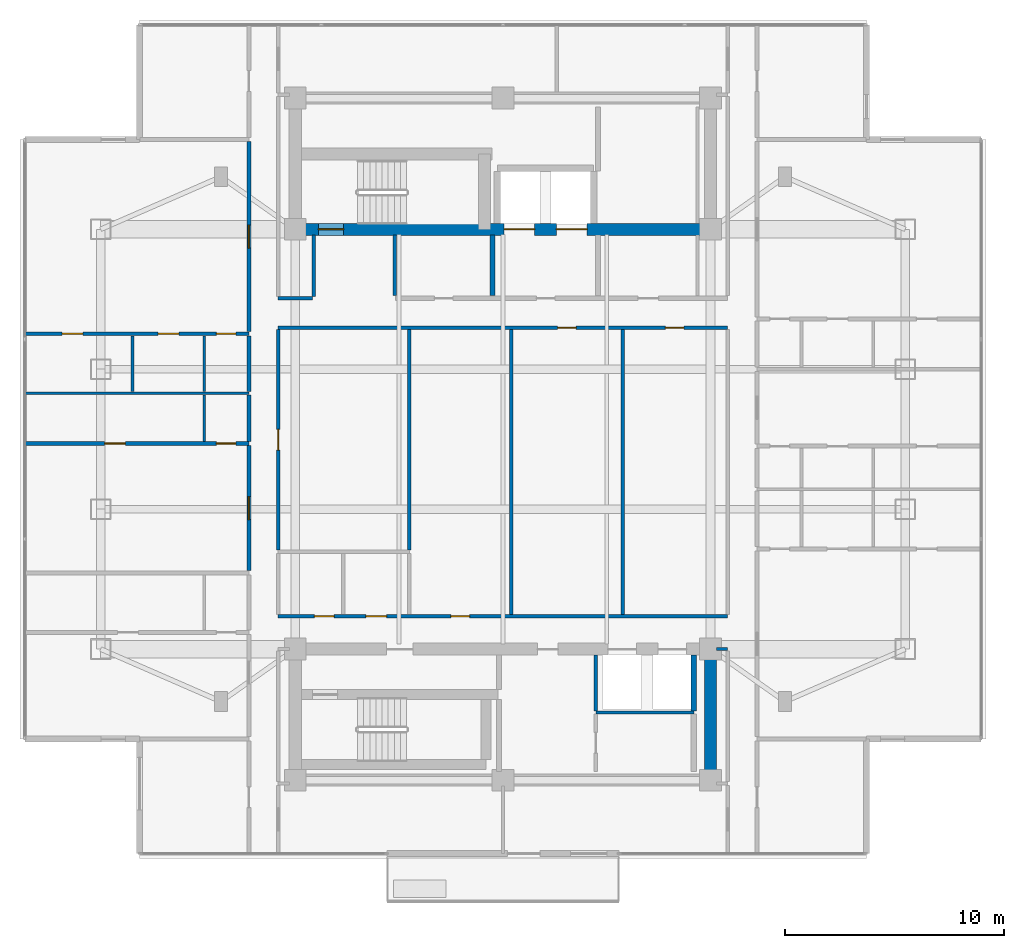
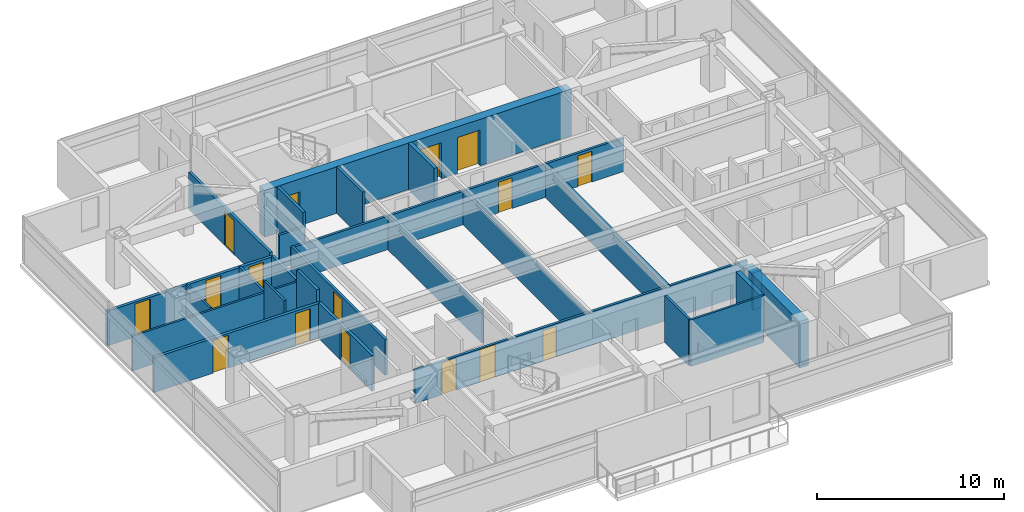
# One storey, part 13 of 25: 26 walls, 16 doors, 16 openings.
"""IFC4 building model written with IfcOpenShell, lengths in metres."""

from ifc_helpers import new_model, si_unit, direction, frame, frame_2d, origin, place, context, subcontext, project, spatial, rectangle, extrude, material, layer, layer_set, type_object, element, fill, save


model = new_model("IFC4")

# Units and contexts
model_context = context("Model", 3, precision=1e-05, world=origin(), true_north=direction((0.0, 1.0)))
body_context = subcontext(model_context, "Body", "Model", "MODEL_VIEW")
ifc_project = project(units=[si_unit("LENGTHUNIT", "METRE"), si_unit("AREAUNIT", "SQUARE_METRE"), si_unit("VOLUMEUNIT", "CUBIC_METRE"), si_unit("PLANEANGLEUNIT", "RADIAN"), si_unit("MASSUNIT", "GRAM", prefix="KILO")], contexts=[model_context])

# Site, building, storey
site_placement = place(None, origin())
site = spatial("IfcSite", under=ifc_project, at=site_placement, CompositionType="ELEMENT")
building_placement = place(site_placement, origin())
building = spatial("IfcBuilding", under=site, at=building_placement, Name="Mirazonda Arch Towers", CompositionType="ELEMENT")
storey_placement = place(building_placement, frame((0.0, 0.0, 180.39990234375)))
storey = spatial("IfcBuildingStorey", under=building, at=storey_placement, Name="L51", CompositionType="ELEMENT", Elevation=180.39990234375)

# Wall, openings, doors
ifc_material_1 = material(Name="Concrete C50/60", Category="concrete")
ifc_layer_1 = layer(ifc_material_1, 0.550048828125, Name="WALL-CORE-550")
ifc_layer_set_1 = layer_set([ifc_layer_1], Name="Concrete C50/60")
wall_type_1 = type_object("IfcWallType", Name="WALL-CORE-550", PredefinedType="SHEAR", material=ifc_layer_set_1)
wall_1_placement = place(storey_placement, frame((11.0, 37.60009765625, 0.0), z_axis=(0.0, 0.0, 1.0), x_axis=(1.0, 0.0, 0.0)))
wall_1 = element("IfcWall", 1, at=wall_1_placement, inside=storey, type_object=wall_type_1, Name="L51 T1N-S Core Shear Wall", PredefinedType="SHEAR", context=body_context, shape_type="SweptSolid", body=[
    extrude(rectangle(XDim=19.0, YDim=0.550048828125, at=frame_2d((9.5, 0.0))), origin(), (0.0, 0.0, 1.0), 3.050048828125),
])
opening_1_placement = place(wall_1_placement, frame((1.06005859375, 0.0, 0.0)))
opening_1 = element("IfcOpeningElement", 2, at=opening_1_placement, cuts=wall_1, Name="Opening DR-135", PredefinedType="OPENING", context=body_context, shape_type="SweptSolid", body=[
    extrude(rectangle(XDim=1.14990234375, YDim=2.199951171875, at=frame_2d((0.574951171875, 1.10009765625))), frame((0.0, 0.284912109375, 0.0), z_axis=(0.0, -1.0, 0.0), x_axis=(1.0, 0.0, 0.0)), (0.0, 0.0, 1.0), 0.570068359375),
])
opening_2_placement = place(wall_1_placement, frame((9.550048828125, 0.0, 0.0)))
opening_2 = element("IfcOpeningElement", 3, at=opening_2_placement, cuts=wall_1, Name="Opening LD-112", PredefinedType="OPENING", context=body_context, shape_type="SweptSolid", body=[
    extrude(rectangle(XDim=1.39990234375, YDim=2.35009765625, at=frame_2d((0.699951171875, 1.175048828125))), frame((0.0, 0.284912109375, 0.0), z_axis=(0.0, -1.0, 0.0), x_axis=(1.0, 0.0, 0.0)), (0.0, 0.0, 1.0), 0.570068359375),
])
opening_3_placement = place(wall_1_placement, frame((11.949951171875, 0.0, 0.0)))
opening_3 = element("IfcOpeningElement", 4, at=opening_3_placement, cuts=wall_1, Name="Opening LD-112", PredefinedType="OPENING", context=body_context, shape_type="SweptSolid", body=[
    extrude(rectangle(XDim=1.39990234375, YDim=2.35009765625, at=frame_2d((0.699951171875, 1.175048828125))), frame((0.0, 0.284912109375, 0.0), z_axis=(0.0, -1.0, 0.0), x_axis=(1.0, 0.0, 0.0)), (0.0, 0.0, 1.0), 0.570068359375),
])
ifc_material_2 = material(Name="Architectural Brushed Steel S355", Category="steel")
door_type_1 = type_object("IfcDoorType", Name="DOOR-LIFT-FFL-1400", OperationType="NOTDEFINED", PredefinedType="DOOR", material=ifc_material_2)
door_1_placement = place(opening_2_placement, origin())
door_1 = element("IfcDoor", 5, at=door_1_placement, inside=storey, type_object=door_type_1, Name="L51 Lift Landing Sliding Door FFL-T1", OperationType="DOUBLE_DOOR_SLIDING", OverallHeight=2.35009765625, OverallWidth=1.39990234375, PredefinedType="DOOR", context=body_context, shape_type="SweptSolid", body=[
    extrude(rectangle(XDim=1.39990234375, YDim=2.35009765625, at=frame_2d((0.699951171875, 1.175048828125))), frame((0.0, 0.02490234375, 0.0), z_axis=(0.0, -1.0, 0.0), x_axis=(1.0, 0.0, 0.0)), (0.0, 0.0, 1.0), 0.050048828125),
])
fill(opening_2, door_1)
door_2_placement = place(opening_3_placement, origin())
door_2 = element("IfcDoor", 6, at=door_2_placement, inside=storey, type_object=door_type_1, Name="L51 Lift Landing Sliding Door SVL-T1", OperationType="DOUBLE_DOOR_SLIDING", OverallHeight=2.35009765625, OverallWidth=1.39990234375, PredefinedType="DOOR", context=body_context, shape_type="SweptSolid", body=[
    extrude(rectangle(XDim=1.39990234375, YDim=2.35009765625, at=frame_2d((0.699951171875, 1.175048828125))), frame((0.0, 0.02490234375, 0.0), z_axis=(0.0, -1.0, 0.0), x_axis=(1.0, 0.0, 0.0)), (0.0, 0.0, 1.0), 0.050048828125),
])
fill(opening_3, door_2)
door_type_2 = type_object("IfcDoorType", Name="DOOR-STAIR-FD90-1150", OperationType="NOTDEFINED", PredefinedType="DOOR", material=ifc_material_2)
door_3_placement = place(opening_1_placement, origin())
door_3 = element("IfcDoor", 7, at=door_3_placement, inside=storey, type_object=door_type_2, Name="L51 Protected Exit Stair North Door", OperationType="SINGLE_SWING_LEFT", OverallHeight=2.199951171875, OverallWidth=1.14990234375, PredefinedType="DOOR", context=body_context, shape_type="SweptSolid", body=[
    extrude(rectangle(XDim=1.14990234375, YDim=2.199951171875, at=frame_2d((0.574951171875, 1.10009765625))), frame((0.0, 0.02490234375, 0.0), z_axis=(0.0, -1.0, 0.0), x_axis=(1.0, 0.0, 0.0)), (0.0, 0.0, 1.0), 0.050048828125),
])
fill(opening_1, door_3)

# Walls
wall_2_placement = place(storey_placement, frame((30.0, 12.39990234375, 0.0), z_axis=(0.0, 0.0, 1.0), x_axis=(0.0, 1.0, 0.0)))
element("IfcWall", 8, at=wall_2_placement, inside=storey, type_object=wall_type_1, Name="L51 T1S-E Core Shear Wall", PredefinedType="SHEAR", context=body_context, shape_type="SweptSolid", body=[
    extrude(rectangle(XDim=6.0, YDim=0.550048828125, at=frame_2d((3.0, 0.0))), origin(), (0.0, 0.0, 1.0), 3.050048828125),
])
ifc_material_3 = material(Name="Concrete C40/50", Category="concrete")
ifc_layer_2 = layer(ifc_material_3, 0.219970703125, Name="WALL-FFL-220")
ifc_layer_set_2 = layer_set([ifc_layer_2], Name="Concrete C40/50")
wall_type_2 = type_object("IfcWallType", Name="WALL-FFL-220", PredefinedType="SOLIDWALL", material=ifc_layer_set_2)
wall_3_placement = place(storey_placement, frame((20.02490234375, 34.570068359375, 0.0), z_axis=(0.0, 0.0, 1.0), x_axis=(0.0, 1.0, 0.0)))
element("IfcWall", 9, at=wall_3_placement, inside=storey, type_object=wall_type_2, Name="L51 Interior Partition 085", PredefinedType="SOLIDWALL", context=body_context, shape_type="SweptSolid", body=[
    extrude(rectangle(XDim=2.760009765625, YDim=0.219970703125, at=frame_2d((1.3798828125, 0.0))), origin(), (0.0, 0.0, 1.0), 3.050048828125),
])
ifc_material_4 = material(Name="Fire-Rated Gypsum Stud Partition")
ifc_layer_3 = layer(ifc_material_4, 0.14990234375, Name="WALL-PART-CORR-150")
ifc_layer_set_3 = layer_set([ifc_layer_3], Name="Fire-Rated Gypsum Stud Partition")
wall_type_3 = type_object("IfcWallType", Name="WALL-PART-CORR-150", PredefinedType="PARTITIONING", material=ifc_layer_set_3)
wall_4_placement = place(storey_placement, frame((30.27001953125, 18.39990234375, 0.0), z_axis=(0.0, 0.0, 1.0), x_axis=(1.0, 0.0, 0.0)))
element("IfcWall", 10, at=wall_4_placement, inside=storey, type_object=wall_type_3, Name="L51 Interior Partition 012", PredefinedType="PARTITIONING", context=body_context, shape_type="SweptSolid", body=[
    extrude(rectangle(XDim=0.510009765625, YDim=0.14990234375, at=frame_2d((0.2548828125, 0.0))), origin(), (0.0, 0.0, 1.0), 2.442138671875),
])

# Wall, openings, doors
wall_5_placement = place(storey_placement, frame((10.219970703125, 19.89990234375, 0.0), z_axis=(0.0, 0.0, 1.0), x_axis=(1.0, 0.0, 0.0)))
wall_5 = element("IfcWall", 11, at=wall_5_placement, inside=storey, type_object=wall_type_3, Name="L51 Interior Partition 015", PredefinedType="PARTITIONING", context=body_context, shape_type="SweptSolid", body=[
    extrude(rectangle(XDim=20.56005859375, YDim=0.14990234375, at=frame_2d((10.280029296875, 0.0))), origin(), (0.0, 0.0, 1.0), 2.18603515625),
])
opening_4_placement = place(wall_5_placement, frame((1.659912109375, 0.0, 0.0)))
opening_4 = element("IfcOpeningElement", 12, at=opening_4_placement, cuts=wall_5, Name="Opening DR-120", PredefinedType="OPENING", context=body_context, shape_type="SweptSolid", body=[
    extrude(rectangle(XDim=0.89990234375, YDim=2.10009765625, at=frame_2d((0.449951171875, 1.050048828125))), frame((0.0, 0.0849609375, 0.0), z_axis=(0.0, -1.0, 0.0), x_axis=(1.0, 0.0, 0.0)), (0.0, 0.0, 1.0), 0.169921875),
])
opening_5_placement = place(wall_5_placement, frame((4.014892578125, 0.0, 0.0)))
opening_5 = element("IfcOpeningElement", 13, at=opening_5_placement, cuts=wall_5, Name="Opening DR-104", PredefinedType="OPENING", context=body_context, shape_type="SweptSolid", body=[
    extrude(rectangle(XDim=0.949951171875, YDim=2.14990234375, at=frame_2d((0.47509765625, 1.074951171875))), frame((0.0, 0.0849609375, 0.0), z_axis=(0.0, -1.0, 0.0), x_axis=(1.0, 0.0, 0.0)), (0.0, 0.0, 1.0), 0.169921875),
])
opening_6_placement = place(wall_5_placement, frame((7.904541015625, 0.0, 0.0)))
opening_6 = element("IfcOpeningElement", 14, at=opening_6_placement, cuts=wall_5, Name="Opening DR-128", PredefinedType="OPENING", context=body_context, shape_type="SweptSolid", body=[
    extrude(rectangle(XDim=0.85009765625, YDim=2.010009765625, at=frame_2d((0.425048828125, 1.0048828125))), frame((0.0, 0.0849609375, 0.0), z_axis=(0.0, -1.0, 0.0), x_axis=(1.0, 0.0, 0.0)), (0.0, 0.0, 1.0), 0.169921875),
])
door_type_3 = type_object("IfcDoorType", Name="DOOR-RISER-FD60-850", OperationType="NOTDEFINED", PredefinedType="DOOR", material=ifc_material_2)
door_4_placement = place(opening_6_placement, origin())
door_4 = element("IfcDoor", 15, at=door_4_placement, inside=storey, type_object=door_type_3, Name="L51 Residents Private Library Door", OperationType="SINGLE_SWING_RIGHT", OverallHeight=2.010009765625, OverallWidth=0.85009765625, PredefinedType="DOOR", context=body_context, shape_type="SweptSolid", body=[
    extrude(rectangle(XDim=0.85009765625, YDim=2.010009765625, at=frame_2d((0.425048828125, 1.0048828125))), frame((0.0, 0.02490234375, 0.0), z_axis=(0.0, -1.0, 0.0), x_axis=(1.0, 0.0, 0.0)), (0.0, 0.0, 1.0), 0.050048828125),
])
fill(opening_6, door_4)
door_type_4 = type_object("IfcDoorType", Name="DOOR-ROOM-950", OperationType="NOTDEFINED", PredefinedType="DOOR", material=ifc_material_2)
door_5_placement = place(opening_5_placement, origin())
door_5 = element("IfcDoor", 16, at=door_5_placement, inside=storey, type_object=door_type_4, Name="L51 L51 West Courtyard Study Door", OperationType="SINGLE_SWING_RIGHT", OverallHeight=2.14990234375, OverallWidth=0.949951171875, PredefinedType="DOOR", context=body_context, shape_type="SweptSolid", body=[
    extrude(rectangle(XDim=0.949951171875, YDim=2.14990234375, at=frame_2d((0.47509765625, 1.074951171875))), frame((0.0, 0.02490234375, 0.0), z_axis=(0.0, -1.0, 0.0), x_axis=(1.0, 0.0, 0.0)), (0.0, 0.0, 1.0), 0.050048828125),
])
fill(opening_5, door_5)
door_type_5 = type_object("IfcDoorType", Name="DOOR-WC-900", OperationType="NOTDEFINED", PredefinedType="DOOR", material=ifc_material_2)
door_6_placement = place(opening_4_placement, origin())
door_6 = element("IfcDoor", 17, at=door_6_placement, inside=storey, type_object=door_type_5, Name="L51 Common Accessible WC Door", OperationType="SINGLE_SWING_LEFT", OverallHeight=2.10009765625, OverallWidth=0.89990234375, PredefinedType="DOOR", context=body_context, shape_type="SweptSolid", body=[
    extrude(rectangle(XDim=0.89990234375, YDim=2.10009765625, at=frame_2d((0.449951171875, 1.050048828125))), frame((0.0, 0.02490234375, 0.0), z_axis=(0.0, -1.0, 0.0), x_axis=(1.0, 0.0, 0.0)), (0.0, 0.0, 1.0), 0.050048828125),
])
fill(opening_4, door_6)

wall_6_placement = place(storey_placement, frame((10.219970703125, 33.10009765625, 0.0), z_axis=(0.0, 0.0, 1.0), x_axis=(1.0, 0.0, 0.0)))
wall_6 = element("IfcWall", 18, at=wall_6_placement, inside=storey, type_object=wall_type_3, Name="L51 Interior Partition 046", PredefinedType="PARTITIONING", context=body_context, shape_type="SweptSolid", body=[
    extrude(rectangle(XDim=20.56005859375, YDim=0.14990234375, at=frame_2d((10.280029296875, 0.0))), origin(), (0.0, 0.0, 1.0), 2.18603515625),
])
opening_7_placement = place(wall_6_placement, frame((12.781982421875, 0.0, 0.0)))
opening_7 = element("IfcOpeningElement", 19, at=opening_7_placement, cuts=wall_6, Name="Opening DR-128", PredefinedType="OPENING", context=body_context, shape_type="SweptSolid", body=[
    extrude(rectangle(XDim=0.85009765625, YDim=2.010009765625, at=frame_2d((0.425048828125, 1.0048828125))), frame((0.0, 0.0849609375, 0.0), z_axis=(0.0, -1.0, 0.0), x_axis=(1.0, 0.0, 0.0)), (0.0, 0.0, 1.0), 0.169921875),
])
opening_8_placement = place(wall_6_placement, frame((17.71240234375, 0.0, 0.0)))
opening_8 = element("IfcOpeningElement", 20, at=opening_8_placement, cuts=wall_6, Name="Opening DR-128", PredefinedType="OPENING", context=body_context, shape_type="SweptSolid", body=[
    extrude(rectangle(XDim=0.85009765625, YDim=2.010009765625, at=frame_2d((0.425048828125, 1.0048828125))), frame((0.0, 0.0849609375, 0.0), z_axis=(0.0, -1.0, 0.0), x_axis=(1.0, 0.0, 0.0)), (0.0, 0.0, 1.0), 0.169921875),
])
door_7_placement = place(opening_7_placement, origin())
door_7 = element("IfcDoor", 21, at=door_7_placement, inside=storey, type_object=door_type_3, Name="L51 Private Dining Room Door", OperationType="SINGLE_SWING_LEFT", OverallHeight=2.010009765625, OverallWidth=0.85009765625, PredefinedType="DOOR", context=body_context, shape_type="SweptSolid", body=[
    extrude(rectangle(XDim=0.85009765625, YDim=2.010009765625, at=frame_2d((0.425048828125, 1.0048828125))), frame((0.0, 0.02490234375, 0.0), z_axis=(0.0, -1.0, 0.0), x_axis=(1.0, 0.0, 0.0)), (0.0, 0.0, 1.0), 0.050048828125),
])
fill(opening_7, door_7)
door_8_placement = place(opening_8_placement, origin())
door_8 = element("IfcDoor", 22, at=door_8_placement, inside=storey, type_object=door_type_3, Name="L51 Collectors Gallery Study Door", OperationType="SINGLE_SWING_RIGHT", OverallHeight=2.010009765625, OverallWidth=0.85009765625, PredefinedType="DOOR", context=body_context, shape_type="SweptSolid", body=[
    extrude(rectangle(XDim=0.85009765625, YDim=2.010009765625, at=frame_2d((0.425048828125, 1.0048828125))), frame((0.0, 0.02490234375, 0.0), z_axis=(0.0, -1.0, 0.0), x_axis=(1.0, 0.0, 0.0)), (0.0, 0.0, 1.0), 0.050048828125),
])
fill(opening_8, door_8)

# Wall
wall_7_placement = place(storey_placement, frame((10.219970703125, 34.449951171875, 0.0), z_axis=(0.0, 0.0, 1.0), x_axis=(1.0, 0.0, 0.0)))
element("IfcWall", 23, at=wall_7_placement, inside=storey, type_object=wall_type_3, Name="L51 Interior Partition 048", PredefinedType="PARTITIONING", context=body_context, shape_type="SweptSolid", body=[
    extrude(rectangle(XDim=1.580078125, YDim=0.14990234375, at=frame_2d((0.7900390625, 0.0))), origin(), (0.0, 0.0, 1.0), 2.18603515625),
])

# Wall, opening, door
wall_8_placement = place(storey_placement, frame((10.219970703125, 22.93505859375, 0.0), z_axis=(0.0, 0.0, 1.0), x_axis=(0.0, 1.0, 0.0)))
wall_8 = element("IfcWall", 24, at=wall_8_placement, inside=storey, type_object=wall_type_3, Name="L51 Interior Partition 076", PredefinedType="PARTITIONING", context=body_context, shape_type="SweptSolid", body=[
    extrude(rectangle(XDim=10.079833984375, YDim=0.14990234375, at=frame_2d((5.0400390625, 0.0))), origin(), (0.0, 0.0, 1.0), 2.34619140625),
])
opening_9_placement = place(wall_8_placement, frame((4.56494140625, 0.0, 0.0)))
opening_9 = element("IfcOpeningElement", 25, at=opening_9_placement, cuts=wall_8, Name="Opening DR-104", PredefinedType="OPENING", context=body_context, shape_type="SweptSolid", body=[
    extrude(rectangle(XDim=0.949951171875, YDim=2.14990234375, at=frame_2d((0.47509765625, 1.074951171875))), frame((0.0, 0.0849609375, 0.0), z_axis=(0.0, -1.0, 0.0), x_axis=(1.0, 0.0, 0.0)), (0.0, 0.0, 1.0), 0.169921875),
])
door_9_placement = place(opening_9_placement, origin())
door_9 = element("IfcDoor", 26, at=door_9_placement, inside=storey, type_object=door_type_4, Name="L51 L51 West Courtyard Salon Door", OperationType="SINGLE_SWING_LEFT", OverallHeight=2.14990234375, OverallWidth=0.949951171875, PredefinedType="DOOR", context=body_context, shape_type="SweptSolid", body=[
    extrude(rectangle(XDim=0.949951171875, YDim=2.14990234375, at=frame_2d((0.47509765625, 1.074951171875))), frame((0.0, 0.02490234375, 0.0), z_axis=(0.0, -1.0, 0.0), x_axis=(1.0, 0.0, 0.0)), (0.0, 0.0, 1.0), 0.050048828125),
])
fill(opening_9, door_9)

# Walls
wall_9_placement = place(storey_placement, frame((11.85009765625, 34.534912109375, 0.0), z_axis=(0.0, 0.0, 1.0), x_axis=(0.0, 1.0, 0.0)))
element("IfcWall", 27, at=wall_9_placement, inside=storey, type_object=wall_type_3, Name="L51 Interior Partition 079", PredefinedType="PARTITIONING", context=body_context, shape_type="SweptSolid", body=[
    extrude(rectangle(XDim=2.795166015625, YDim=0.14990234375, at=frame_2d((1.3974609375, 0.0))), origin(), (0.0, 0.0, 1.0), 3.050048828125),
])
wall_10_placement = place(storey_placement, frame((15.550048828125, 34.570068359375, 0.0), z_axis=(0.0, 0.0, 1.0), x_axis=(0.0, 1.0, 0.0)))
element("IfcWall", 28, at=wall_10_placement, inside=storey, type_object=wall_type_3, Name="L51 Interior Partition 081", PredefinedType="PARTITIONING", context=body_context, shape_type="SweptSolid", body=[
    extrude(rectangle(XDim=2.760009765625, YDim=0.14990234375, at=frame_2d((1.3798828125, 0.0))), origin(), (0.0, 0.0, 1.0), 3.050048828125),
])
wall_11_placement = place(storey_placement, frame((16.219970703125, 22.93505859375, 0.0), z_axis=(0.0, 0.0, 1.0), x_axis=(0.0, 1.0, 0.0)))
element("IfcWall", 29, at=wall_11_placement, inside=storey, type_object=wall_type_3, Name="L51 Interior Partition 083", PredefinedType="PARTITIONING", context=body_context, shape_type="SweptSolid", body=[
    extrude(rectangle(XDim=10.079833984375, YDim=0.14990234375, at=frame_2d((5.0400390625, 0.0))), origin(), (0.0, 0.0, 1.0), 2.18603515625),
])
wall_12_placement = place(storey_placement, frame((20.87890625, 19.985107421875, 0.0), z_axis=(0.0, 0.0, 1.0), x_axis=(0.0, 1.0, 0.0)))
element("IfcWall", 30, at=wall_12_placement, inside=storey, type_object=wall_type_3, Name="L51 Interior Partition 090", PredefinedType="PARTITIONING", context=body_context, shape_type="SweptSolid", body=[
    extrude(rectangle(XDim=13.02978515625, YDim=0.14990234375, at=frame_2d((6.514892578125, 0.0))), origin(), (0.0, 0.0, 1.0), 2.18603515625),
])
wall_13_placement = place(storey_placement, frame((24.75, 15.572509765625, 0.0), z_axis=(0.0, 0.0, 1.0), x_axis=(0.0, 1.0, 0.0)))
element("IfcWall", 31, at=wall_13_placement, inside=storey, type_object=wall_type_3, Name="L51 Interior Partition 093", PredefinedType="PARTITIONING", context=body_context, shape_type="SweptSolid", body=[
    extrude(rectangle(XDim=2.557373046875, YDim=0.14990234375, at=frame_2d((1.27880859375, 0.0))), origin(), (0.0, 0.0, 1.0), 3.050048828125),
])
wall_14_placement = place(storey_placement, frame((25.97509765625, 19.985107421875, 0.0), z_axis=(0.0, 0.0, 1.0), x_axis=(0.0, 1.0, 0.0)))
element("IfcWall", 32, at=wall_14_placement, inside=storey, type_object=wall_type_3, Name="L51 Interior Partition 097", PredefinedType="PARTITIONING", context=body_context, shape_type="SweptSolid", body=[
    extrude(rectangle(XDim=13.02978515625, YDim=0.14990234375, at=frame_2d((6.514892578125, 0.0))), origin(), (0.0, 0.0, 1.0), 2.18603515625),
])

# Wall, openings, doors
ifc_material_5 = material(Name="Fire-Rated Gypsum Twin-Stud Assembly")
ifc_layer_4 = layer(ifc_material_5, 0.179931640625, Name="WALL-PART-DEMISE-180")
ifc_layer_set_4 = layer_set([ifc_layer_4], Name="Fire-Rated Gypsum Twin-Stud Assembly")
wall_type_4 = type_object("IfcWallType", Name="WALL-PART-DEMISE-180", PredefinedType="PARTITIONING", material=ifc_layer_set_4)
wall_15_placement = place(storey_placement, frame((-1.3701171875, 27.802978515625, 0.0), z_axis=(0.0, 0.0, 1.0), x_axis=(1.0, 0.0, 0.0)))
wall_15 = element("IfcWall", 33, at=wall_15_placement, inside=storey, type_object=wall_type_4, Name="L51 Interior Partition 034", PredefinedType="PARTITIONING", context=body_context, shape_type="SweptSolid", body=[
    extrude(rectangle(XDim=10.25, YDim=0.179931640625, at=frame_2d((5.125, 0.0))), origin(), (0.0, 0.0, 1.0), 2.26904296875),
])
opening_10_placement = place(wall_15_placement, frame((3.64990234375, 0.0, 0.0)))
opening_10 = element("IfcOpeningElement", 34, at=opening_10_placement, cuts=wall_15, Name="Opening DR-104", PredefinedType="OPENING", context=body_context, shape_type="SweptSolid", body=[
    extrude(rectangle(XDim=0.949951171875, YDim=2.14990234375, at=frame_2d((0.47509765625, 1.074951171875))), frame((0.0, 0.099853515625, 0.0), z_axis=(0.0, -1.0, 0.0), x_axis=(1.0, 0.0, 0.0)), (0.0, 0.0, 1.0), 0.199951171875),
])
opening_11_placement = place(wall_15_placement, frame((8.760009765625, 0.0, 0.0)))
opening_11 = element("IfcOpeningElement", 35, at=opening_11_placement, cuts=wall_15, Name="Opening DR-120", PredefinedType="OPENING", context=body_context, shape_type="SweptSolid", body=[
    extrude(rectangle(XDim=0.89990234375, YDim=2.10009765625, at=frame_2d((0.449951171875, 1.050048828125))), frame((0.0, 0.099853515625, 0.0), z_axis=(0.0, -1.0, 0.0), x_axis=(1.0, 0.0, 0.0)), (0.0, 0.0, 1.0), 0.199951171875),
])
door_10_placement = place(opening_10_placement, origin())
door_10 = element("IfcDoor", 36, at=door_10_placement, inside=storey, type_object=door_type_4, Name="L51 Studio 2 Galley Kitchen Door", OperationType="SINGLE_SWING_RIGHT", OverallHeight=2.14990234375, OverallWidth=0.949951171875, PredefinedType="DOOR", context=body_context, shape_type="SweptSolid", body=[
    extrude(rectangle(XDim=0.949951171875, YDim=2.14990234375, at=frame_2d((0.47509765625, 1.074951171875))), frame((0.0, 0.02490234375, 0.0), z_axis=(0.0, -1.0, 0.0), x_axis=(1.0, 0.0, 0.0)), (0.0, 0.0, 1.0), 0.050048828125),
])
fill(opening_10, door_10)
door_11_placement = place(opening_11_placement, origin())
door_11 = element("IfcDoor", 37, at=door_11_placement, inside=storey, type_object=door_type_5, Name="L51 Studio 2 Bathroom Door", OperationType="SINGLE_SWING_LEFT", OverallHeight=2.10009765625, OverallWidth=0.89990234375, PredefinedType="DOOR", context=body_context, shape_type="SweptSolid", body=[
    extrude(rectangle(XDim=0.89990234375, YDim=2.10009765625, at=frame_2d((0.449951171875, 1.050048828125))), frame((0.0, 0.02490234375, 0.0), z_axis=(0.0, -1.0, 0.0), x_axis=(1.0, 0.0, 0.0)), (0.0, 0.0, 1.0), 0.050048828125),
])
fill(opening_11, door_11)

wall_16_placement = place(storey_placement, frame((-1.3701171875, 32.822998046875, 0.0), z_axis=(0.0, 0.0, 1.0), x_axis=(1.0, 0.0, 0.0)))
wall_16 = element("IfcWall", 38, at=wall_16_placement, inside=storey, type_object=wall_type_4, Name="L51 Interior Partition 045", PredefinedType="PARTITIONING", context=body_context, shape_type="SweptSolid", body=[
    extrude(rectangle(XDim=10.25, YDim=0.179931640625, at=frame_2d((5.125, 0.0))), origin(), (0.0, 0.0, 1.0), 2.26904296875),
])
opening_12_placement = place(wall_16_placement, frame((1.7080078125, 0.0, 0.0)))
opening_12 = element("IfcOpeningElement", 39, at=opening_12_placement, cuts=wall_16, Name="Opening DR-104", PredefinedType="OPENING", context=body_context, shape_type="SweptSolid", body=[
    extrude(rectangle(XDim=0.949951171875, YDim=2.14990234375, at=frame_2d((0.47509765625, 1.074951171875))), frame((0.0, 0.099853515625, 0.0), z_axis=(0.0, -1.0, 0.0), x_axis=(1.0, 0.0, 0.0)), (0.0, 0.0, 1.0), 0.199951171875),
])
opening_13_placement = place(wall_16_placement, frame((6.093017578125, 0.0, 0.0)))
opening_13 = element("IfcOpeningElement", 40, at=opening_13_placement, cuts=wall_16, Name="Opening DR-104", PredefinedType="OPENING", context=body_context, shape_type="SweptSolid", body=[
    extrude(rectangle(XDim=0.949951171875, YDim=2.14990234375, at=frame_2d((0.47509765625, 1.074951171875))), frame((0.0, 0.099853515625, 0.0), z_axis=(0.0, -1.0, 0.0), x_axis=(1.0, 0.0, 0.0)), (0.0, 0.0, 1.0), 0.199951171875),
])
opening_14_placement = place(wall_16_placement, frame((8.760009765625, 0.0, 0.0)))
opening_14 = element("IfcOpeningElement", 41, at=opening_14_placement, cuts=wall_16, Name="Opening DR-120", PredefinedType="OPENING", context=body_context, shape_type="SweptSolid", body=[
    extrude(rectangle(XDim=0.89990234375, YDim=2.10009765625, at=frame_2d((0.449951171875, 1.050048828125))), frame((0.0, 0.099853515625, 0.0), z_axis=(0.0, -1.0, 0.0), x_axis=(1.0, 0.0, 0.0)), (0.0, 0.0, 1.0), 0.199951171875),
])
door_12_placement = place(opening_12_placement, origin())
door_12 = element("IfcDoor", 42, at=door_12_placement, inside=storey, type_object=door_type_4, Name="L51 Residence 3 Principal Bedroom Door", OperationType="SINGLE_SWING_LEFT", OverallHeight=2.14990234375, OverallWidth=0.949951171875, PredefinedType="DOOR", context=body_context, shape_type="SweptSolid", body=[
    extrude(rectangle(XDim=0.949951171875, YDim=2.14990234375, at=frame_2d((0.47509765625, 1.074951171875))), frame((0.0, 0.02490234375, 0.0), z_axis=(0.0, -1.0, 0.0), x_axis=(1.0, 0.0, 0.0)), (0.0, 0.0, 1.0), 0.050048828125),
])
fill(opening_12, door_12)
door_13_placement = place(opening_13_placement, origin())
door_13 = element("IfcDoor", 43, at=door_13_placement, inside=storey, type_object=door_type_4, Name="L51 Residence 3 Fitted Kitchen Door", OperationType="SINGLE_SWING_RIGHT", OverallHeight=2.14990234375, OverallWidth=0.949951171875, PredefinedType="DOOR", context=body_context, shape_type="SweptSolid", body=[
    extrude(rectangle(XDim=0.949951171875, YDim=2.14990234375, at=frame_2d((0.47509765625, 1.074951171875))), frame((0.0, 0.02490234375, 0.0), z_axis=(0.0, -1.0, 0.0), x_axis=(1.0, 0.0, 0.0)), (0.0, 0.0, 1.0), 0.050048828125),
])
fill(opening_13, door_13)
door_14_placement = place(opening_14_placement, origin())
door_14 = element("IfcDoor", 44, at=door_14_placement, inside=storey, type_object=door_type_5, Name="L51 Residence 3 Bathroom Door", OperationType="SINGLE_SWING_LEFT", OverallHeight=2.10009765625, OverallWidth=0.89990234375, PredefinedType="DOOR", context=body_context, shape_type="SweptSolid", body=[
    extrude(rectangle(XDim=0.89990234375, YDim=2.10009765625, at=frame_2d((0.449951171875, 1.050048828125))), frame((0.0, 0.02490234375, 0.0), z_axis=(0.0, -1.0, 0.0), x_axis=(1.0, 0.0, 0.0)), (0.0, 0.0, 1.0), 0.050048828125),
])
fill(opening_14, door_14)

# Wall, opening, door
wall_17_placement = place(storey_placement, frame((8.8798828125, 21.98193359375, 0.0), z_axis=(0.0, 0.0, 1.0), x_axis=(0.0, 1.0, 0.0)))
wall_17 = element("IfcWall", 45, at=wall_17_placement, inside=storey, type_object=wall_type_4, Name="L51 Interior Partition 068", PredefinedType="PARTITIONING", context=body_context, shape_type="SweptSolid", body=[
    extrude(rectangle(XDim=5.720947265625, YDim=0.179931640625, at=frame_2d((2.8603515625, 0.0))), origin(), (0.0, 0.0, 1.0), 2.34619140625),
])
opening_15_placement = place(wall_17_placement, frame((2.33544921875, 0.0, 0.0)))
opening_15 = element("IfcOpeningElement", 46, at=opening_15_placement, cuts=wall_17, Name="Opening DR-121", PredefinedType="OPENING", context=body_context, shape_type="SweptSolid", body=[
    extrude(rectangle(XDim=1.050048828125, YDim=2.199951171875, at=frame_2d((0.52490234375, 1.10009765625))), frame((0.0, 0.099853515625, 0.0), z_axis=(0.0, -1.0, 0.0), x_axis=(1.0, 0.0, 0.0)), (0.0, 0.0, 1.0), 0.199951171875),
])
door_type_6 = type_object("IfcDoorType", Name="DOOR-SUITE-FD60-1050", OperationType="NOTDEFINED", PredefinedType="DOOR", material=ifc_material_2)
door_15_placement = place(opening_15_placement, origin())
door_15 = element("IfcDoor", 47, at=door_15_placement, inside=storey, type_object=door_type_6, Name="L51 Studio Apartment 2 Living Salon Door", OperationType="SINGLE_SWING_LEFT", OverallHeight=2.199951171875, OverallWidth=1.050048828125, PredefinedType="DOOR", context=body_context, shape_type="SweptSolid", body=[
    extrude(rectangle(XDim=1.050048828125, YDim=2.199951171875, at=frame_2d((0.52490234375, 1.10009765625))), frame((0.0, 0.02490234375, 0.0), z_axis=(0.0, -1.0, 0.0), x_axis=(1.0, 0.0, 0.0)), (0.0, 0.0, 1.0), 0.050048828125),
])
fill(opening_15, door_15)

# Walls
wall_18_placement = place(storey_placement, frame((8.8798828125, 27.903076171875, 0.0), z_axis=(0.0, 0.0, 1.0), x_axis=(0.0, 1.0, 0.0)))
element("IfcWall", 48, at=wall_18_placement, inside=storey, type_object=wall_type_4, Name="L51 Interior Partition 069", PredefinedType="PARTITIONING", context=body_context, shape_type="SweptSolid", body=[
    extrude(rectangle(XDim=2.12744140625, YDim=0.179931640625, at=frame_2d((1.063720703125, 0.0))), origin(), (0.0, 0.0, 1.0), 3.050048828125),
])
wall_19_placement = place(storey_placement, frame((8.8798828125, 30.175537109375, 0.0), z_axis=(0.0, 0.0, 1.0), x_axis=(0.0, 1.0, 0.0)))
element("IfcWall", 49, at=wall_19_placement, inside=storey, type_object=wall_type_4, Name="L51 Interior Partition 070", PredefinedType="PARTITIONING", context=body_context, shape_type="SweptSolid", body=[
    extrude(rectangle(XDim=2.54736328125, YDim=0.179931640625, at=frame_2d((1.273681640625, 0.0))), origin(), (0.0, 0.0, 1.0), 2.34619140625),
])

# Wall, opening, door
wall_20_placement = place(storey_placement, frame((8.8798828125, 32.923095703125, 0.0), z_axis=(0.0, 0.0, 1.0), x_axis=(0.0, 1.0, 0.0)))
wall_20 = element("IfcWall", 50, at=wall_20_placement, inside=storey, type_object=wall_type_4, Name="L51 Interior Partition 071", PredefinedType="PARTITIONING", context=body_context, shape_type="SweptSolid", body=[
    extrude(rectangle(XDim=8.685791015625, YDim=0.179931640625, at=frame_2d((4.3427734375, 0.0))), origin(), (0.0, 0.0, 1.0), 2.442138671875),
])
opening_16_placement = place(wall_20_placement, frame((3.818115234375, 0.0, 0.0)))
opening_16 = element("IfcOpeningElement", 51, at=opening_16_placement, cuts=wall_20, Name="Opening DR-121", PredefinedType="OPENING", context=body_context, shape_type="SweptSolid", body=[
    extrude(rectangle(XDim=1.050048828125, YDim=2.199951171875, at=frame_2d((0.52490234375, 1.10009765625))), frame((0.0, 0.099853515625, 0.0), z_axis=(0.0, -1.0, 0.0), x_axis=(1.0, 0.0, 0.0)), (0.0, 0.0, 1.0), 0.199951171875),
])
door_16_placement = place(opening_16_placement, origin())
door_16 = element("IfcDoor", 52, at=door_16_placement, inside=storey, type_object=door_type_6, Name="L51 Penthouse Residence 3 Living & Dining Salon Door", OperationType="SINGLE_SWING_RIGHT", OverallHeight=2.199951171875, OverallWidth=1.050048828125, PredefinedType="DOOR", context=body_context, shape_type="SweptSolid", body=[
    extrude(rectangle(XDim=1.050048828125, YDim=2.199951171875, at=frame_2d((0.52490234375, 1.10009765625))), frame((0.0, 0.02490234375, 0.0), z_axis=(0.0, -1.0, 0.0), x_axis=(1.0, 0.0, 0.0)), (0.0, 0.0, 1.0), 0.050048828125),
])
fill(opening_16, door_16)

# Walls
ifc_material_6 = material(Name="Acoustic Fire-Rated Gypsum Partition")
ifc_layer_5 = layer(ifc_material_6, 0.125, Name="WALL-PART-UNIT-125")
ifc_layer_set_5 = layer_set([ifc_layer_5], Name="Acoustic Fire-Rated Gypsum Partition")
wall_type_5 = type_object("IfcWallType", Name="WALL-PART-UNIT-125", PredefinedType="PARTITIONING", material=ifc_layer_set_5)
wall_21_placement = place(storey_placement, frame((24.75, 15.5, 0.0), z_axis=(0.0, 0.0, 1.0), x_axis=(1.0, 0.0, 0.0)))
element("IfcWall", 53, at=wall_21_placement, inside=storey, type_object=wall_type_5, Name="L51 Interior Partition 006", PredefinedType="PARTITIONING", context=body_context, shape_type="SweptSolid", body=[
    extrude(rectangle(XDim=4.5, YDim=0.125, at=frame_2d((2.25, 0.0))), origin(), (0.0, 0.0, 1.0), 3.050048828125),
])
wall_22_placement = place(storey_placement, frame((-1.3701171875, 30.10302734375, 0.0), z_axis=(0.0, 0.0, 1.0), x_axis=(1.0, 0.0, 0.0)))
element("IfcWall", 54, at=wall_22_placement, inside=storey, type_object=wall_type_5, Name="L51 Interior Partition 038", PredefinedType="PARTITIONING", context=body_context, shape_type="SweptSolid", body=[
    extrude(rectangle(XDim=10.25, YDim=0.125, at=frame_2d((5.125, 0.0))), origin(), (0.0, 0.0, 1.0), 2.26904296875),
])
wall_23_placement = place(storey_placement, frame((3.555908203125, 30.175537109375, 0.0), z_axis=(0.0, 0.0, 1.0), x_axis=(0.0, 1.0, 0.0)))
element("IfcWall", 55, at=wall_23_placement, inside=storey, type_object=wall_type_5, Name="L51 Interior Partition 061", PredefinedType="PARTITIONING", context=body_context, shape_type="SweptSolid", body=[
    extrude(rectangle(XDim=2.54736328125, YDim=0.125, at=frame_2d((1.273681640625, 0.0))), origin(), (0.0, 0.0, 1.0), 2.34619140625),
])
wall_24_placement = place(storey_placement, frame((6.840087890625, 27.903076171875, 0.0), z_axis=(0.0, 0.0, 1.0), x_axis=(0.0, 1.0, 0.0)))
element("IfcWall", 56, at=wall_24_placement, inside=storey, type_object=wall_type_5, Name="L51 Interior Partition 063", PredefinedType="PARTITIONING", context=body_context, shape_type="SweptSolid", body=[
    extrude(rectangle(XDim=2.12744140625, YDim=0.125, at=frame_2d((1.063720703125, 0.0))), origin(), (0.0, 0.0, 1.0), 3.050048828125),
])
wall_25_placement = place(storey_placement, frame((6.840087890625, 30.175537109375, 0.0), z_axis=(0.0, 0.0, 1.0), x_axis=(0.0, 1.0, 0.0)))
element("IfcWall", 57, at=wall_25_placement, inside=storey, type_object=wall_type_5, Name="L51 Interior Partition 064", PredefinedType="PARTITIONING", context=body_context, shape_type="SweptSolid", body=[
    extrude(rectangle(XDim=2.54736328125, YDim=0.125, at=frame_2d((1.273681640625, 0.0))), origin(), (0.0, 0.0, 1.0), 2.34619140625),
])
ifc_layer_6 = layer(ifc_material_3, 0.25, Name="WALL-SHAFT-250")
ifc_layer_set_6 = layer_set([ifc_layer_6], Name="Concrete C40/50")
wall_type_6 = type_object("IfcWallType", Name="WALL-SHAFT-250", PredefinedType="SOLIDWALL", material=ifc_layer_set_6)
wall_26_placement = place(storey_placement, frame((29.22509765625, 15.572509765625, 0.0), z_axis=(0.0, 0.0, 1.0), x_axis=(0.0, 1.0, 0.0)))
element("IfcWall", 58, at=wall_26_placement, inside=storey, type_object=wall_type_6, Name="L51 Interior Partition 099", PredefinedType="SOLIDWALL", context=body_context, shape_type="SweptSolid", body=[
    extrude(rectangle(XDim=2.557373046875, YDim=0.25, at=frame_2d((1.27880859375, 0.0))), origin(), (0.0, 0.0, 1.0), 3.050048828125),
])

save(model, "model.ifc")
